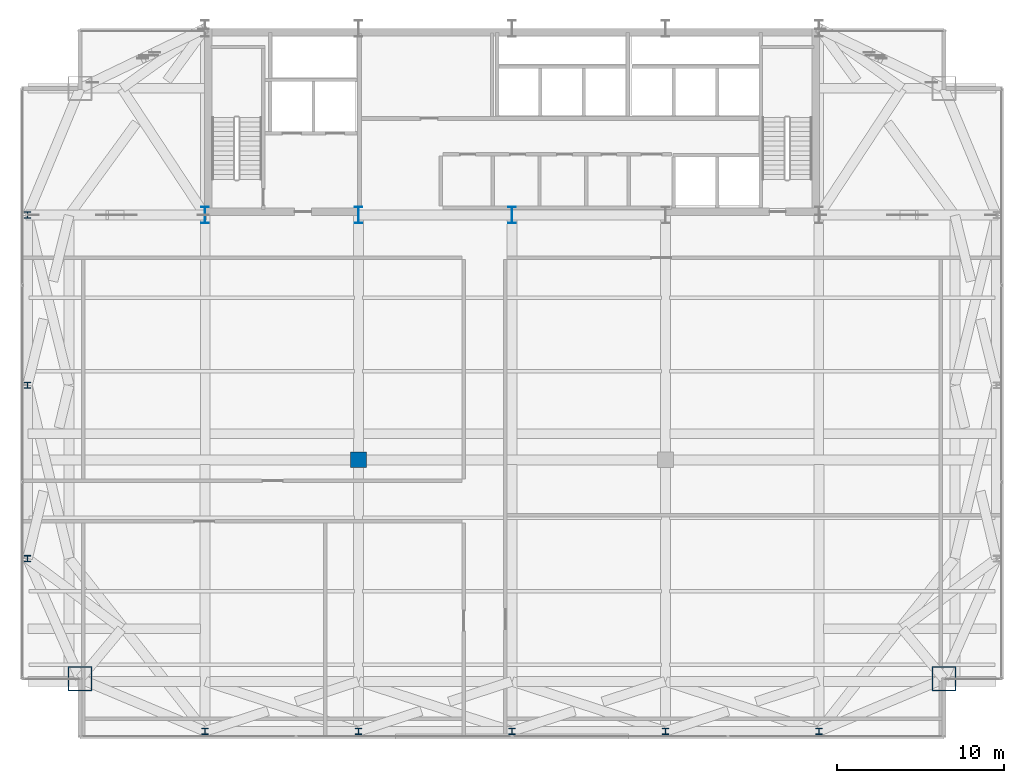
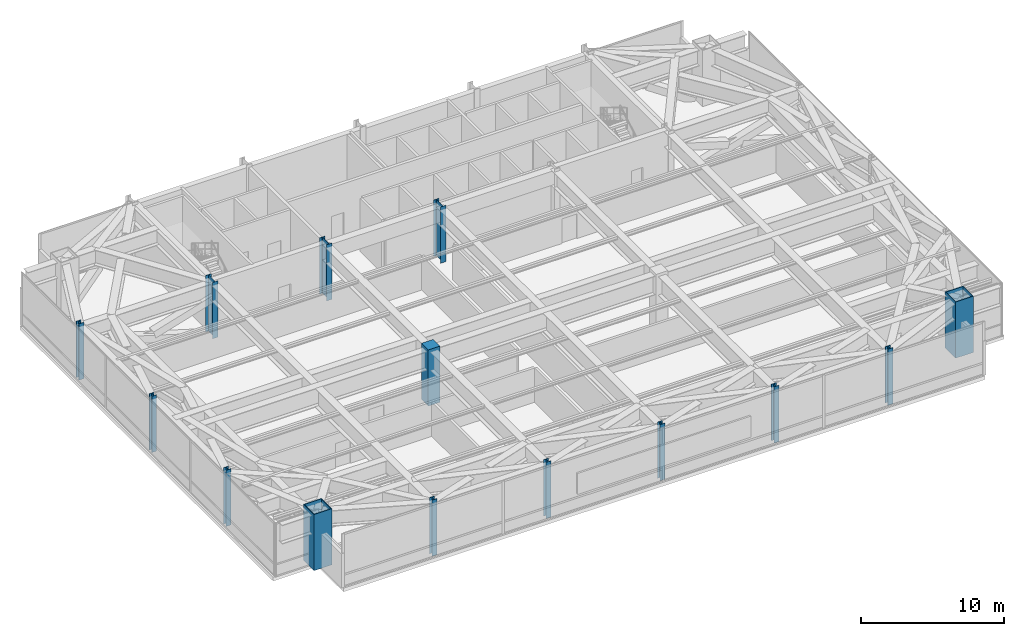
# One storey, part 1 of 32: 14 columns.
"""IFC4 building model written with IfcOpenShell, lengths in metres."""

import ifcopenshell
import ifcopenshell.guid

model = None  # the IFC model being written
_history = None  # IfcOwnerHistory: only IFC2X3 demands one
_inside = {}  # id of a spatial element -> (the spatial element, [elements in it])
_under = {}  # id of a project, library or spatial element -> (it, [spatial elements below it])
_declared = {}  # id of a project -> (the project, [libraries it declares])
_typed = {}  # id of a type object -> (the type object, [elements of that type])
_made_of = {}  # id of a material, layer set ... -> (it, [elements and type objects made of it])


def new_model(schema):
    """Start an empty IFC model of exactly this schema.

    Asked for "IFC4X3", IfcOpenShell would pick the latest addendum, in which some entities
    have other attributes; the version numbers below select the first issue.
    IFC2X3 requires an IfcOwnerHistory on every rooted entity: one is made here for all.
    """
    global model, _history
    if schema == "IFC4X3":
        model = ifcopenshell.file(schema_version=(4, 3, 0, 0))
    else:
        model = ifcopenshell.file(schema=schema)
    _inside.clear()
    _under.clear()
    _declared.clear()
    _typed.clear()
    _made_of.clear()
    _history = None
    if model.schema == "IFC2X3":
        org = make("IfcOrganization", Name="unknown")
        user = make(
            "IfcPersonAndOrganization",
            ThePerson=make("IfcPerson", FamilyName="unknown"),
            TheOrganization=org,
        )
        app = make(
            "IfcApplication",
            ApplicationDeveloper=org,
            Version="unknown",
            ApplicationFullName="unknown",
            ApplicationIdentifier="unknown",
        )
        _history = make(
            "IfcOwnerHistory",
            OwningUser=user,
            OwningApplication=app,
            ChangeAction="ADDED",
            CreationDate=0,
        )
    return model


def make(cls, **values):
    """One entity of the class cls with the attributes given. An attribute that is None is left unset."""
    return model.create_entity(
        cls, **{name: value for name, value in values.items() if value is not None}
    )


def rooted(cls, **values):
    """An entity with a GlobalId (a new one), such as an element, a storey or a relation."""
    return make(cls, GlobalId=ifcopenshell.guid.new(), OwnerHistory=_history, **values)


def si_unit(unit_type, name, prefix=None):
    """IfcSIUnit, for example si_unit("LENGTHUNIT", "METRE", prefix="MILLI")."""
    return make("IfcSIUnit", UnitType=unit_type, Prefix=prefix, Name=name)


def assignment(units):
    """IfcUnitAssignment: the units of a project."""
    return None if units is None else make("IfcUnitAssignment", Units=units)


def point(xyz):
    """IfcCartesianPoint."""
    return None if xyz is None else make("IfcCartesianPoint", Coordinates=xyz)


def direction(xyz):
    """IfcDirection."""
    return None if xyz is None else make("IfcDirection", DirectionRatios=xyz)


def frame(location, z_axis=None, x_axis=None):
    """IfcAxis2Placement3D, a coordinate frame: its origin and axes. An axis left out is left unset."""
    return make(
        "IfcAxis2Placement3D",
        Location=point(location),
        Axis=direction(z_axis),
        RefDirection=direction(x_axis),
    )


def frame_2d(location, x_axis=None):
    """IfcAxis2Placement2D, a coordinate frame in the plane: its origin and x axis."""
    return make(
        "IfcAxis2Placement2D", Location=point(location), RefDirection=direction(x_axis)
    )


def origin():
    """The frame at (0, 0, 0) with its axes left unset."""
    return frame((0.0, 0.0, 0.0))


def origin_2d():
    """The frame at (0, 0) in the plane with its x axis left unset."""
    return frame_2d((0.0, 0.0))


def place(relative_to, where):
    """IfcLocalPlacement: puts the frame where relative to a parent placement (None: the world)."""
    return make(
        "IfcLocalPlacement", PlacementRelTo=relative_to, RelativePlacement=where
    )


def context(
    kind, dimensions, precision=None, world=None, true_north=None, identifier=None
):
    """IfcGeometricRepresentationContext, for example the 3D "Model" context."""
    return make(
        "IfcGeometricRepresentationContext",
        ContextIdentifier=identifier,
        ContextType=kind,
        CoordinateSpaceDimension=dimensions,
        Precision=precision,
        WorldCoordinateSystem=world,
        TrueNorth=true_north,
    )


def subcontext(parent, identifier, kind, view, scale=None):
    """IfcGeometricRepresentationSubContext, for example "Body" below "Model"."""
    return make(
        "IfcGeometricRepresentationSubContext",
        ContextIdentifier=identifier,
        ContextType=kind,
        ParentContext=parent,
        TargetScale=scale,
        TargetView=view,
    )


def project(units=None, contexts=None):
    """IfcProject with its units and contexts."""
    return rooted(
        "IfcProject",
        Name="project",
        RepresentationContexts=contexts,
        UnitsInContext=assignment(units),
    )


def spatial(cls, under=None, at=None, **own):
    """A site, building, storey or space (cls), placed at a placement, below another one or the project."""
    s = rooted(cls, ObjectPlacement=at, **own)
    if under is not None:
        _under.setdefault(under.id(), (under, []))[1].append(s)
    return s


def profile(cls, at=None, kind="AREA", **sizes):
    """A parametric profile (cls). Its sizes go by their IFC names, for example OverallWidth=200.0."""
    return make(cls, ProfileType=kind, Position=at, **sizes)


def rectangle(**sizes):
    """IfcRectangleProfileDef."""
    return profile("IfcRectangleProfileDef", **sizes)


def hollow_rectangle(**sizes):
    """IfcRectangleHollowProfileDef."""
    return profile("IfcRectangleHollowProfileDef", **sizes)


def i_section(**sizes):
    """IfcIShapeProfileDef."""
    return profile("IfcIShapeProfileDef", **sizes)


def extrude(swept, where, along, depth):
    """IfcExtrudedAreaSolid: the profile swept, set in the frame where, extruded along a direction by depth."""
    return make(
        "IfcExtrudedAreaSolid",
        SweptArea=swept,
        Position=where,
        ExtrudedDirection=direction(along),
        Depth=depth,
    )


def shape(context_of_items, identifier, shape_type, items):
    """IfcShapeRepresentation: the items that make up one representation, for example the "Body"."""
    return make(
        "IfcShapeRepresentation",
        ContextOfItems=context_of_items,
        RepresentationIdentifier=identifier,
        RepresentationType=shape_type,
        Items=items,
    )


def source(mapping_origin, context_of_items, identifier, shape_type, items):
    """IfcRepresentationMap: a shape defined once, which mapped items show again and again."""
    return make(
        "IfcRepresentationMap",
        MappingOrigin=mapping_origin,
        MappedRepresentation=shape(context_of_items, identifier, shape_type, items),
    )


def transform(
    local_origin,
    x_axis=None,
    y_axis=None,
    z_axis=None,
    scale=None,
    scale2=None,
    scale3=None,
    uniform=True,
):
    """IfcCartesianTransformationOperator3D, or its non-uniform kind. x_axis, y_axis, z_axis: its Axis1, 2, 3."""
    if uniform:
        return make(
            "IfcCartesianTransformationOperator3D",
            Axis1=direction(x_axis),
            Axis2=direction(y_axis),
            LocalOrigin=point(local_origin),
            Scale=scale,
            Axis3=direction(z_axis),
        )
    return make(
        "IfcCartesianTransformationOperator3DnonUniform",
        Axis1=direction(x_axis),
        Axis2=direction(y_axis),
        LocalOrigin=point(local_origin),
        Scale=scale,
        Axis3=direction(z_axis),
        Scale2=scale2,
        Scale3=scale3,
    )


def mapped(mapping_source, mapping_target):
    """IfcMappedItem: shows the shape of a source again, moved by a transform."""
    return make(
        "IfcMappedItem", MappingSource=mapping_source, MappingTarget=mapping_target
    )


def material(Name=None, Category=None):
    """IfcMaterial."""
    return make("IfcMaterial", Name=Name, Category=Category)


def material_profile(
    of_material, cross_section, Name=None, Category=None, Priority=None
):
    """IfcMaterialProfile: a cross section and its material."""
    return make(
        "IfcMaterialProfile",
        Name=Name,
        Material=of_material,
        Profile=cross_section,
        Priority=Priority,
        Category=Category,
    )


def profile_set(profiles, Name=None, composite=None):
    """IfcMaterialProfileSet."""
    return make(
        "IfcMaterialProfileSet",
        Name=Name,
        MaterialProfiles=profiles,
        CompositeProfile=composite,
    )


def made_of(thing, what):
    """Note that an element or type object is made of a material, layer set ...; save() writes the relation."""
    if what is not None:
        _made_of.setdefault(what.id(), (what, []))[1].append(thing)
    return thing


def type_object(cls, material=None, **own):
    """A type object (cls), such as IfcWallType, which elements share."""
    return made_of(rooted(cls, **own), material)


def type_shapes(of_type, sources):
    """Give a type object the sources (RepresentationMaps) that its elements show as mapped items."""
    of_type.RepresentationMaps = sources


def element(
    cls,
    number,
    at=None,
    inside=None,
    cuts=None,
    type_object=None,
    material=None,
    context=None,
    identifier="Body",
    shape_type=None,
    held_by="IfcProductDefinitionShape",
    body=None,
    shapes=None,
    **own,
):
    """One element of the class cls, such as IfcWall. Its Tag is "e" and its number.

    at: its placement. inside: the storey or other place that contains it. cuts: it is an
    opening in that element (IfcRelVoidsElement). A single representation is given by context,
    identifier, shape_type and body (its items); several are given by shapes. held_by: the class
    of the entity that holds the representations. save() writes the other relations.
    """
    e = rooted(cls, Tag="e%d" % number, ObjectPlacement=at, **own)
    if body is not None:
        shapes = [shape(context, identifier, shape_type, body)]
    if shapes is not None:
        e.Representation = make(held_by, Representations=shapes)
    if inside is not None:
        _inside.setdefault(inside.id(), (inside, []))[1].append(e)
    if cuts is not None:
        rooted(
            "IfcRelVoidsElement", RelatingBuildingElement=cuts, RelatedOpeningElement=e
        )
    if type_object is not None:
        _typed.setdefault(type_object.id(), (type_object, []))[1].append(e)
    return made_of(e, material)


def aggregate(whole, parts):
    """IfcRelAggregates: a whole, such as a stair, and the parts it consists of."""
    return rooted("IfcRelAggregates", RelatingObject=whole, RelatedObjects=parts)


def save(model, path):
    """Write the relations noted so far, then the file.

    IfcRelAggregates (storeys below a building ...), IfcRelContainedInSpatialStructure (elements
    in a storey), IfcRelDefinesByType, IfcRelAssociatesMaterial and IfcRelDeclares: one each for
    every whole, place, type object, material and project.
    """
    for whole, parts in _under.values():
        aggregate(whole, parts)
    for where, things in _inside.values():
        rooted(
            "IfcRelContainedInSpatialStructure",
            RelatedElements=things,
            RelatingStructure=where,
        )
    for kind, things in _typed.values():
        rooted("IfcRelDefinesByType", RelatedObjects=things, RelatingType=kind)
    for what, things in _made_of.values():
        rooted("IfcRelAssociatesMaterial", RelatedObjects=things, RelatingMaterial=what)
    for by, libraries in _declared.values():
        rooted("IfcRelDeclares", RelatingContext=by, RelatedDefinitions=libraries)
    model.write(path)


model = new_model("IFC4")

# Units and contexts
model_context = context("Model", 3, precision=1e-05, world=origin(), true_north=direction((0.0, 1.0)))
body_context = subcontext(model_context, "Body", "Model", "MODEL_VIEW")
ifc_project = project(units=[si_unit("LENGTHUNIT", "METRE"), si_unit("AREAUNIT", "SQUARE_METRE"), si_unit("VOLUMEUNIT", "CUBIC_METRE"), si_unit("PLANEANGLEUNIT", "RADIAN"), si_unit("MASSUNIT", "GRAM", prefix="KILO")], contexts=[model_context])

# Site, building, storey
site_placement = place(None, origin())
site = spatial("IfcSite", under=ifc_project, at=site_placement, CompositionType="ELEMENT")
building_placement = place(site_placement, origin())
building = spatial("IfcBuilding", under=site, at=building_placement, Name="Varnel Quay Broadcast Tower", CompositionType="ELEMENT")
storey_placement = place(building_placement, frame((0.0, 0.0, 141.0)))
storey = spatial("IfcBuildingStorey", under=building, at=storey_placement, Name="L34", CompositionType="ELEMENT", Elevation=141.0)

# Columns
ifc_material_1 = material(Name="Structural Steel CSA G40.21 350WT", Category="steel")
ifc_material_profile_1 = material_profile(ifc_material_1, i_section(OverallWidth=0.449951171875, OverallDepth=1.0, WebThickness=0.01611328125, FlangeThickness=0.030029296875, FilletRadius=0.01611328125, at=origin_2d()), Name="WWF1000X362")
ifc_profile_set_1 = profile_set([ifc_material_profile_1], Name="Structural Steel CSA G40.21 350WT")
column_type_1 = type_object("IfcColumnType", Name="Col_WWF1000X362", PredefinedType="COLUMN", material=ifc_profile_set_1)
shared_shape_1 = source(origin(), body_context, "Body", "SweptSolid", [
    extrude(i_section(OverallWidth=0.449951171875, OverallDepth=1.0, WebThickness=0.01611328125, FlangeThickness=0.030029296875, FilletRadius=0.01611328125, at=origin_2d()), origin(), (0.0, 0.0, 1.0), 4.800048828125),
])
type_shapes(column_type_1, [shared_shape_1])
for number, where, z_axis, x_axis, name in (
    (1, (15.60009765625, 35.60009765625, 0.0), (0.0, 0.0, 1.0), (1.0, 0.0, 0.0), "L34 Column CC-S1"),
    (2, (24.800048828125, 35.60009765625, 0.0), (0.0, 0.0, 1.0), (1.0, 0.0, 0.0), "L34 Column CC-S2"),
    (3, (34.0, 35.60009765625, 0.0), (0.0, 0.0, 1.0), (1.0, 0.0, 0.0), "L34 Column CC-S3"),
):
    element("IfcColumn", number, at=place(storey_placement, frame(where, z_axis=z_axis, x_axis=x_axis)), inside=storey, type_object=column_type_1, Name=name, PredefinedType="COLUMN", context=body_context, shape_type="MappedRepresentation", body=[
        mapped(shared_shape_1, transform((0.0, 0.0, 0.0), x_axis=(1.0, 0.0, 0.0), y_axis=(0.0, 1.0, 0.0), z_axis=(0.0, 0.0, 1.0), scale=1.0)),
    ])
ifc_material_profile_2 = material_profile(ifc_material_1, hollow_rectangle(XDim=1.449951171875, YDim=1.449951171875, WallThickness=0.054931640625, at=origin_2d()), Name="BOX1450X1450X55")
ifc_profile_set_2 = profile_set([ifc_material_profile_2], Name="Structural Steel CSA G40.21 350WT")
column_type_2 = type_object("IfcColumnType", Name="Col_BOX1450X1450X55", PredefinedType="COLUMN", material=ifc_profile_set_2)
shared_shape_2 = source(origin(), body_context, "Body", "SweptSolid", [
    extrude(hollow_rectangle(XDim=1.449951171875, YDim=1.449951171875, WallThickness=0.054931640625, at=origin_2d()), origin(), (0.0, 0.0, 1.0), 4.800048828125),
])
type_shapes(column_type_2, [shared_shape_2])
for number, where, z_axis, x_axis, name in (
    (4, (8.10009765625, 7.800048828125, 0.0), (0.0, 0.0, 1.0), (1.0, 0.0, 0.0), "L34 Column MC-SW"),
    (5, (59.89990234375, 7.800048828125, 0.0), (0.0, 0.0, 1.0), (1.0, 0.0, 0.0), "L34 Column MC-SE"),
):
    element("IfcColumn", number, at=place(storey_placement, frame(where, z_axis=z_axis, x_axis=x_axis)), inside=storey, type_object=column_type_2, Name=name, PredefinedType="COLUMN", context=body_context, shape_type="MappedRepresentation", body=[
        mapped(shared_shape_2, transform((0.0, 0.0, 0.0), x_axis=(1.0, 0.0, 0.0), y_axis=(0.0, 1.0, 0.0), z_axis=(0.0, 0.0, 1.0), scale=1.0)),
    ])
ifc_material_2 = material(Name="Structural Steel CSA G40.21 350W", Category="steel")
ifc_material_profile_3 = material_profile(ifc_material_2, i_section(OverallWidth=0.39794921875, OverallDepth=0.386962890625, WebThickness=0.02099609375, FlangeThickness=0.033203125, FilletRadius=0.01806640625, at=origin_2d()), Name="W360X262")
ifc_profile_set_3 = profile_set([ifc_material_profile_3], Name="Structural Steel CSA G40.21 350W")
column_type_3 = type_object("IfcColumnType", Name="Col_W360X262", PredefinedType="COLUMN", material=ifc_profile_set_3)
shared_shape_3 = source(origin(), body_context, "Body", "SweptSolid", [
    extrude(i_section(OverallWidth=0.39794921875, OverallDepth=0.386962890625, WebThickness=0.02099609375, FlangeThickness=0.033203125, FilletRadius=0.01806640625, at=origin_2d()), origin(), (0.0, 0.0, 1.0), 4.800048828125),
])
type_shapes(column_type_3, [shared_shape_3])
for number, where, z_axis, x_axis, name in (
    (6, (15.60009765625, 4.64990234375, 0.0), (0.0, 0.0, 1.0), (1.0, 0.0, 0.0), "L34 Column TC-S1"),
    (7, (24.800048828125, 4.64990234375, 0.0), (0.0, 0.0, 1.0), (1.0, 0.0, 0.0), "L34 Column TC-S2"),
    (8, (34.0, 4.64990234375, 0.0), (0.0, 0.0, 1.0), (1.0, 0.0, 0.0), "L34 Column TC-S3"),
    (9, (43.199951171875, 4.64990234375, 0.0), (0.0, 0.0, 1.0), (1.0, 0.0, 0.0), "L34 Column TC-S4"),
    (10, (52.39990234375, 4.64990234375, 0.0), (0.0, 0.0, 1.0), (1.0, 0.0, 0.0), "L34 Column TC-S5"),
    (11, (4.949951171875, 15.0, 0.0), (0.0, 0.0, 1.0), (1.0, 0.0, 0.0), "L34 Column TC-W1"),
    (12, (4.949951171875, 25.39990234375, 0.0), (0.0, 0.0, 1.0), (1.0, 0.0, 0.0), "L34 Column TC-W2"),
    (13, (4.949951171875, 35.60009765625, 0.0), (0.0, 0.0, 1.0), (1.0, 0.0, 0.0), "L34 Column TC-W3"),
):
    element("IfcColumn", number, at=place(storey_placement, frame(where, z_axis=z_axis, x_axis=x_axis)), inside=storey, type_object=column_type_3, Name=name, PredefinedType="COLUMN", context=body_context, shape_type="MappedRepresentation", body=[
        mapped(shared_shape_3, transform((0.0, 0.0, 0.0), x_axis=(1.0, 0.0, 0.0), y_axis=(0.0, 1.0, 0.0), z_axis=(0.0, 0.0, 1.0), scale=1.0)),
    ])
ifc_material_3 = material(Name="Concrete CSA A23.3 C50/60", Category="concrete")
ifc_material_profile_4 = material_profile(ifc_material_3, rectangle(XDim=0.949951171875, YDim=0.949951171875, at=origin_2d()), Name="RC950X950")
ifc_profile_set_4 = profile_set([ifc_material_profile_4], Name="Concrete CSA A23.3 C50/60")
column_type_4 = type_object("IfcColumnType", Name="Col_RC950X950", PredefinedType="COLUMN", material=ifc_profile_set_4)
shared_shape_4 = source(origin(), body_context, "Body", "SweptSolid", [
    extrude(rectangle(XDim=0.949951171875, YDim=0.949951171875, at=origin_2d()), origin(), (0.0, 0.0, 1.0), 4.800048828125),
])
type_shapes(column_type_4, [shared_shape_4])
column_placement = place(storey_placement, frame((24.800048828125, 20.929931640625, 0.0), z_axis=(0.0, 0.0, 1.0), x_axis=(1.0, 0.0, 0.0)))
element("IfcColumn", 14, at=column_placement, inside=storey, type_object=column_type_4, Name="L34 Column IC-01", PredefinedType="COLUMN", context=body_context, shape_type="MappedRepresentation", body=[
    mapped(shared_shape_4, transform((0.0, 0.0, 0.0), x_axis=(1.0, 0.0, 0.0), y_axis=(0.0, 1.0, 0.0), z_axis=(0.0, 0.0, 1.0), scale=1.0)),
])

save(model, "model.ifc")
